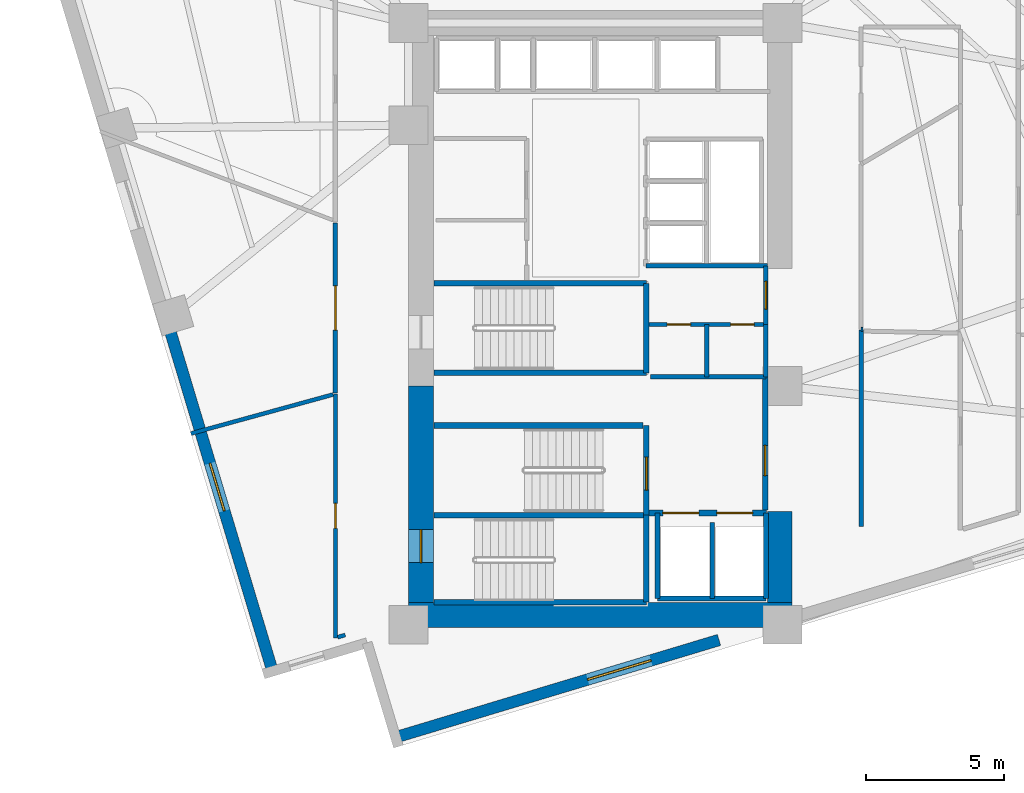
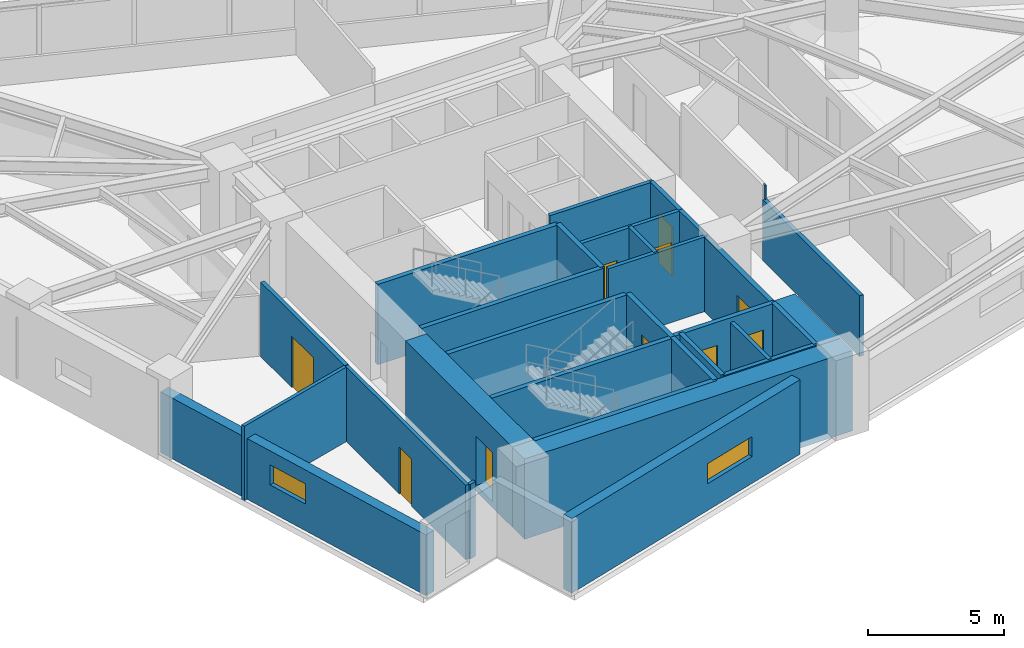
# One storey, part 10 of 16: 31 walls, 10 doors, 2 windows, 12 openings.
"""IFC4 building model written with IfcOpenShell, lengths in metres."""

from ifc_helpers import new_model, si_unit, direction, frame, frame_2d, origin, place, context, subcontext, project, spatial, rectangle, extrude, material, layer, layer_set, type_object, element, fill, save


model = new_model("IFC4")

# Units and contexts
model_context = context("Model", 3, precision=1e-05, world=origin(), true_north=direction((0.0, 1.0)))
body_context = subcontext(model_context, "Body", "Model", "MODEL_VIEW")
ifc_project = project(units=[si_unit("LENGTHUNIT", "METRE"), si_unit("AREAUNIT", "SQUARE_METRE"), si_unit("VOLUMEUNIT", "CUBIC_METRE"), si_unit("PLANEANGLEUNIT", "RADIAN"), si_unit("MASSUNIT", "GRAM", prefix="KILO")], contexts=[model_context])

# Site, building, storey
site_placement = place(None, origin())
site = spatial("IfcSite", under=ifc_project, at=site_placement, CompositionType="ELEMENT")
building_placement = place(site_placement, origin())
building = spatial("IfcBuilding", under=site, at=building_placement, Name="Narakoshi Arena Tower", CompositionType="ELEMENT")
storey_placement = place(building_placement, frame((0.0, 0.0, 153.89990234375)))
storey = spatial("IfcBuildingStorey", under=building, at=storey_placement, Name="L41", CompositionType="ELEMENT", Elevation=153.89990234375)

# Wall, opening, door
ifc_material_1 = material(Name="Concrete C60/75", Category="concrete")
ifc_layer_1 = layer(ifc_material_1, 0.89990234375)
ifc_layer_set_1 = layer_set([ifc_layer_1], Name="Concrete C60/75")
wall_type_1 = type_object("IfcWallType", Name="WL-CORE-900", PredefinedType="SHEAR", material=ifc_layer_set_1)
wall_1_placement = place(storey_placement, frame((72.449951171875, 35.5, -0.260009765625), z_axis=(0.0, 0.0, 1.0), x_axis=(0.0, 1.0, 0.0)))
wall_1 = element("IfcWall", 1, at=wall_1_placement, inside=storey, type_object=wall_type_1, Name="L41 Central Core Shear Wall CW-APX-W", PredefinedType="SHEAR", context=body_context, shape_type="SweptSolid", body=[
    extrude(rectangle(XDim=7.85009765625, YDim=0.89990234375, at=frame_2d((3.925048828125, 0.0))), origin(), (0.0, 0.0, 1.0), 3.60009765625),
])
opening_1_placement = place(wall_1_placement, frame((1.449951171875, 0.0, 0.260009765625)))
opening_1 = element("IfcOpeningElement", 2, at=opening_1_placement, cuts=wall_1, Name="Opening D-03", PredefinedType="OPENING", context=body_context, shape_type="SweptSolid", body=[
    extrude(rectangle(XDim=1.199951171875, YDim=2.199951171875, at=frame_2d((0.60009765625, 1.10009765625))), frame((0.0, 0.4599609375, 0.0), z_axis=(0.0, -1.0, 0.0), x_axis=(1.0, 0.0, 0.0)), (0.0, 0.0, 1.0), 0.919921875),
])
ifc_material_2 = material(Name="Painted galvanized steel", Category="steel")
door_type_1 = type_object("IfcDoorType", Name="DR-STR-1200", OperationType="NOTDEFINED", PredefinedType="USERDEFINED", material=ifc_material_2)
door_1_placement = place(opening_1_placement, frame((1.199951171875, 0.0, 0.0), z_axis=(0.0, 0.0, 1.0), x_axis=(-1.0, 0.0, 0.0)))
door_1 = element("IfcDoor", 3, at=door_1_placement, inside=storey, type_object=door_type_1, Name="DR-L41-001", ObjectType="EXITDOOR", OperationType="SINGLE_SWING_LEFT", OverallHeight=2.199951171875, OverallWidth=1.199951171875, PredefinedType="USERDEFINED", context=body_context, shape_type="SweptSolid", body=[
    extrude(rectangle(XDim=1.199951171875, YDim=2.199951171875, at=frame_2d((0.60009765625, 1.10009765625))), frame((0.0, 0.02490234375, 0.0), z_axis=(0.0, -1.0, 0.0), x_axis=(1.0, 0.0, 0.0)), (0.0, 0.0, 1.0), 0.050048828125),
])
fill(opening_1, door_1)

# Walls
wall_2_placement = place(storey_placement, frame((72.0, 35.050048828125, -0.260009765625), z_axis=(0.0, 0.0, 1.0), x_axis=(1.0, 0.0, 0.0)))
element("IfcWall", 4, at=wall_2_placement, inside=storey, type_object=wall_type_1, Name="L41 Central Core Shear Wall CW-APX-S", PredefinedType="SHEAR", context=body_context, shape_type="SweptSolid", body=[
    extrude(rectangle(XDim=13.89990234375, YDim=0.89990234375, at=frame_2d((6.949951171875, 0.0))), origin(), (0.0, 0.0, 1.0), 3.60009765625),
])
wall_3_placement = place(storey_placement, frame((85.449951171875, 35.5, -0.260009765625), z_axis=(0.0, 0.0, 1.0), x_axis=(0.0, 1.0, 0.0)))
element("IfcWall", 5, at=wall_3_placement, inside=storey, type_object=wall_type_1, Name="L41 Central Core Shear Wall CW-APX-E", PredefinedType="SHEAR", context=body_context, shape_type="SweptSolid", body=[
    extrude(rectangle(XDim=3.300048828125, YDim=0.89990234375, at=frame_2d((1.64990234375, 0.0))), origin(), (0.0, 0.0, 1.0), 3.60009765625),
])

# Wall, opening, door
ifc_material_3 = material(Name="Gypsum plasterboard fire-rated partition")
ifc_layer_2 = layer(ifc_material_3, 0.1650390625)
ifc_layer_set_2 = layer_set([ifc_layer_2], Name="Gypsum plasterboard fire-rated partition")
wall_type_2 = type_object("IfcWallType", Name="WL-CORR-165", PredefinedType="PARTITIONING", material=ifc_layer_set_2)
wall_4_placement = place(storey_placement, frame((84.949951171875, 45.580078125, 0.0), z_axis=(0.0, 0.0, 1.0), x_axis=(0.0, 1.0, 0.0)))
wall_4 = element("IfcWall", 6, at=wall_4_placement, inside=storey, type_object=wall_type_2, Name="L41 Core Wall CPAS-E", PredefinedType="PARTITIONING", context=body_context, shape_type="SweptSolid", body=[
    extrude(rectangle(XDim=2.119873046875, YDim=0.1650390625, at=frame_2d((1.06005859375, 0.0))), origin(), (0.0, 0.0, 1.0), 3.340087890625),
])
opening_2_placement = place(wall_4_placement, frame((0.56005859375, 0.0, 0.0)))
opening_2 = element("IfcOpeningElement", 7, at=opening_2_placement, cuts=wall_4, Name="Opening D-06", PredefinedType="OPENING", context=body_context, shape_type="SweptSolid", body=[
    extrude(rectangle(XDim=1.0, YDim=2.199951171875, at=frame_2d((0.5, 1.10009765625))), frame((0.0, 0.092529296875, 0.0), z_axis=(0.0, -1.0, 0.0), x_axis=(1.0, 0.0, 0.0)), (0.0, 0.0, 1.0), 0.18505859375),
])
ifc_material_4 = material(Name="Stained oak solid-core timber", Category="wood")
door_type_2 = type_object("IfcDoorType", Name="DR-OFF-1000", OperationType="NOTDEFINED", PredefinedType="DOOR", material=ifc_material_4)
door_2_placement = place(opening_2_placement, frame((1.0, 0.0, 0.0), z_axis=(0.0, 0.0, 1.0), x_axis=(-1.0, 0.0, 0.0)))
door_2 = element("IfcDoor", 8, at=door_2_placement, inside=storey, type_object=door_type_2, Name="DR-L41-007", OperationType="SINGLE_SWING_LEFT", OverallHeight=2.199951171875, OverallWidth=1.0, PredefinedType="DOOR", context=body_context, shape_type="SweptSolid", body=[
    extrude(rectangle(XDim=1.0, YDim=2.199951171875, at=frame_2d((0.5, 1.10009765625))), frame((0.0, 0.02490234375, 0.0), z_axis=(0.0, -1.0, 0.0), x_axis=(1.0, 0.0, 0.0)), (0.0, 0.0, 1.0), 0.050048828125),
])
fill(opening_2, door_2)

# Wall
wall_5_placement = place(storey_placement, frame((88.39990234375, 38.26220703125, 0.0), z_axis=(0.0, 0.0, 1.0), x_axis=(0.0, 1.0, 0.0)))
element("IfcWall", 9, at=wall_5_placement, inside=storey, type_object=wall_type_2, Name="L41 Corridor Partition 02-2", PredefinedType="PARTITIONING", context=body_context, shape_type="SweptSolid", body=[
    extrude(rectangle(XDim=7.1162109375, YDim=0.1650390625, at=frame_2d((3.55810546875, 0.0))), origin(), (0.0, 0.0, 1.0), 2.72509765625),
])

# Wall, opening, door
wall_6_placement = place(storey_placement, frame((69.353759765625, 49.260498046875, 0.0), z_axis=(0.0, 0.0, 1.0), x_axis=(0.0, -1.0, 0.0)))
wall_6 = element("IfcWall", 10, at=wall_6_placement, inside=storey, type_object=wall_type_2, Name="L41 Corridor Partition 09-1", PredefinedType="PARTITIONING", context=body_context, shape_type="SweptSolid", body=[
    extrude(rectangle(XDim=6.17041015625, YDim=0.1650390625, at=frame_2d((3.085205078125, 0.0))), origin(), (0.0, 0.0, 1.0), 3.340087890625),
])
opening_3_placement = place(wall_6_placement, frame((2.28515625, 0.0, 0.0)))
opening_3 = element("IfcOpeningElement", 11, at=opening_3_placement, cuts=wall_6, Name="Opening D-05", PredefinedType="OPENING", context=body_context, shape_type="SweptSolid", body=[
    extrude(rectangle(XDim=1.60009765625, YDim=2.300048828125, at=frame_2d((0.800048828125, 1.14990234375))), frame((0.0, 0.092529296875, 0.0), z_axis=(0.0, -1.0, 0.0), x_axis=(1.0, 0.0, 0.0)), (0.0, 0.0, 1.0), 0.18505859375),
])
door_type_3 = type_object("IfcDoorType", Name="DR-STE-1600", OperationType="DOUBLE_DOOR_SINGLE_SWING", PredefinedType="DOOR", material=ifc_material_4)
door_3_placement = place(opening_3_placement, frame((1.60009765625, 0.0, 0.0), z_axis=(0.0, 0.0, 1.0), x_axis=(-1.0, 0.0, 0.0)))
door_3 = element("IfcDoor", 12, at=door_3_placement, inside=storey, type_object=door_type_3, Name="DR-L41-023", OperationType="DOUBLE_DOOR_SINGLE_SWING", OverallHeight=2.300048828125, OverallWidth=1.60009765625, PredefinedType="DOOR", context=body_context, shape_type="SweptSolid", body=[
    extrude(rectangle(XDim=1.60009765625, YDim=2.300048828125, at=frame_2d((0.800048828125, 1.14990234375))), frame((0.0, 0.02490234375, 0.0), z_axis=(0.0, -1.0, 0.0), x_axis=(1.0, 0.0, 0.0)), (0.0, 0.0, 1.0), 0.050048828125),
])
fill(opening_3, door_3)

# Wall, opening, window
ifc_material_5 = material(Name="Precast concrete C45/55", Category="concrete")
ifc_layer_3 = layer(ifc_material_5, 0.419921875)
ifc_layer_set_3 = layer_set([ifc_layer_3], Name="Precast concrete C45/55")
wall_type_3 = type_object("IfcWallType", Name="WL-POD-420", PredefinedType="SOLIDWALL", material=ifc_layer_set_3)
wall_7_placement = place(storey_placement, frame((71.53466796875, 30.62353515625, 0.0), z_axis=(0.0, 0.0, 1.0), x_axis=(0.957571099539, 0.288197136226, 0.0)))
wall_7 = element("IfcWall", 13, at=wall_7_placement, inside=storey, type_object=wall_type_3, Name="L41 Architectural Concrete Facade Wall LEGA-1", PredefinedType="SOLIDWALL", context=body_context, shape_type="SweptSolid", body=[
    extrude(rectangle(XDim=12.23583984375, YDim=0.419921875, at=frame_2d((6.117919921875, 0.0))), origin(), (0.0, 0.0, 1.0), 3.340087890625),
])
opening_4_placement = place(wall_7_placement, frame((7.263916015625, 0.0, 1.199951171875)))
opening_4 = element("IfcOpeningElement", 14, at=opening_4_placement, cuts=wall_7, Name="Opening WN-01", PredefinedType="OPENING", context=body_context, shape_type="SweptSolid", body=[
    extrude(rectangle(XDim=2.39990234375, YDim=0.89990234375, at=frame_2d((1.199951171875, 0.449951171875))), frame((0.0, 0.219970703125, 0.0), z_axis=(0.0, -1.0, 0.0), x_axis=(1.0, 0.0, 0.0)), (0.0, 0.0, 1.0), 0.43994140625),
])
ifc_material_6 = material(Name="Bronze-tinted low-E laminated glass", Category="glass")
window_type_1 = type_object("IfcWindowType", Name="WIN-SLT-24x09", PartitioningType="SINGLE_PANEL", PredefinedType="WINDOW", material=ifc_material_6)
window_1_placement = place(opening_4_placement, origin())
window_1 = element("IfcWindow", 15, at=window_1_placement, inside=storey, type_object=window_type_1, Name="L41 LEGA1 Horizontal Slot Window 1", OverallHeight=0.89990234375, OverallWidth=2.39990234375, PartitioningType="SINGLE_PANEL", PredefinedType="WINDOW", context=body_context, shape_type="SweptSolid", body=[
    extrude(rectangle(XDim=2.39990234375, YDim=0.89990234375, at=frame_2d((1.199951171875, 0.449951171875))), frame((0.0, 0.030029296875, 0.0), z_axis=(0.0, -1.0, 0.0), x_axis=(1.0, 0.0, 0.0)), (0.0, 0.0, 1.0), 0.06005859375),
])
fill(opening_4, window_1)

wall_8_placement = place(storey_placement, frame((63.221435546875, 45.833740234375, 0.0), z_axis=(0.0, 0.0, 1.0), x_axis=(0.288202962273, -0.957569346072, 0.0)))
wall_8 = element("IfcWall", 16, at=wall_8_placement, inside=storey, type_object=wall_type_3, Name="L41 Architectural Concrete Facade Wall LEGB-3", PredefinedType="SOLIDWALL", context=body_context, shape_type="SweptSolid", body=[
    extrude(rectangle(XDim=13.383544921875, YDim=0.419921875, at=frame_2d((6.69189453125, 0.0))), origin(), (0.0, 0.0, 1.0), 2.72509765625),
])
opening_5_placement = place(wall_8_placement, frame((5.5166015625, 0.0, 1.199951171875)))
opening_5 = element("IfcOpeningElement", 17, at=opening_5_placement, cuts=wall_8, Name="Opening WN-02", PredefinedType="OPENING", context=body_context, shape_type="SweptSolid", body=[
    extrude(rectangle(XDim=1.800048828125, YDim=0.89990234375, at=frame_2d((0.89990234375, 0.449951171875))), frame((0.0, 0.219970703125, 0.0), z_axis=(0.0, -1.0, 0.0), x_axis=(1.0, 0.0, 0.0)), (0.0, 0.0, 1.0), 0.43994140625),
])
window_type_2 = type_object("IfcWindowType", Name="WIN-SLT-18x09", PartitioningType="SINGLE_PANEL", PredefinedType="WINDOW", material=ifc_material_6)
window_2_placement = place(opening_5_placement, origin())
window_2 = element("IfcWindow", 18, at=window_2_placement, inside=storey, type_object=window_type_2, Name="L41 LEGB3 Horizontal Slot Window 1", OverallHeight=0.89990234375, OverallWidth=1.800048828125, PartitioningType="SINGLE_PANEL", PredefinedType="WINDOW", context=body_context, shape_type="SweptSolid", body=[
    extrude(rectangle(XDim=1.800048828125, YDim=0.89990234375, at=frame_2d((0.89990234375, 0.449951171875))), frame((0.0, 0.030029296875, 0.0), z_axis=(0.0, -1.0, 0.0), x_axis=(1.0, 0.0, 0.0)), (0.0, 0.0, 1.0), 0.06005859375),
])
fill(opening_5, window_2)

# Walls
ifc_material_7 = material(Name="Concrete C40/50", Category="concrete")
ifc_layer_4 = layer(ifc_material_7, 0.280029296875)
ifc_layer_set_4 = layer_set([ifc_layer_4], Name="Concrete C40/50")
wall_type_4 = type_object("IfcWallType", Name="WL-RISER-280", PredefinedType="PLUMBINGWALL", material=ifc_layer_set_4)
wall_9_placement = place(storey_placement, frame((83.0, 35.64990234375, 0.0), z_axis=(0.0, 0.0, 1.0), x_axis=(0.0, 1.0, 0.0)))
element("IfcWall", 19, at=wall_9_placement, inside=storey, type_object=wall_type_4, Name="L41 Core Wall FF-DIV", PredefinedType="PLUMBINGWALL", context=body_context, shape_type="SweptSolid", body=[
    extrude(rectangle(XDim=2.75, YDim=0.159912109375, at=frame_2d((1.375, 0.0))), origin(), (0.0, 0.0, 1.0), 3.340087890625),
])
wall_10_placement = place(storey_placement, frame((84.949951171875, 43.679931640625, 0.0), z_axis=(0.0, 0.0, 1.0), x_axis=(0.0, 1.0, 0.0)))
element("IfcWall", 20, at=wall_10_placement, inside=storey, type_object=wall_type_4, Name="L41 Core Wall RSR-E", PredefinedType="PLUMBINGWALL", context=body_context, shape_type="SweptSolid", body=[
    extrude(rectangle(XDim=1.900146484375, YDim=0.1650390625, at=frame_2d((0.9501953125, 0.0))), origin(), (0.0, 0.0, 1.0), 3.340087890625),
])

# Wall, openings, doors
wall_11_placement = place(storey_placement, frame((80.719970703125, 45.580078125, 0.0), z_axis=(0.0, 0.0, 1.0), x_axis=(1.0, 0.0, 0.0)))
wall_11 = element("IfcWall", 21, at=wall_11_placement, inside=storey, type_object=wall_type_4, Name="L41 Core Wall RSR-N", PredefinedType="PLUMBINGWALL", context=body_context, shape_type="SweptSolid", body=[
    extrude(rectangle(XDim=4.22998046875, YDim=0.159912109375, at=frame_2d((2.114990234375, 0.0))), origin(), (0.0, 0.0, 1.0), 3.340087890625),
])
opening_6_placement = place(wall_11_placement, frame((0.64990234375, 0.0, 0.0)))
opening_6 = element("IfcOpeningElement", 22, at=opening_6_placement, cuts=wall_11, Name="Opening D-10", PredefinedType="OPENING", context=body_context, shape_type="SweptSolid", body=[
    extrude(rectangle(XDim=0.85009765625, YDim=2.050048828125, at=frame_2d((0.425048828125, 1.02490234375))), frame((0.0, 0.08984375, 0.0), z_axis=(0.0, -1.0, 0.0), x_axis=(1.0, 0.0, 0.0)), (0.0, 0.0, 1.0), 0.179931640625),
])
opening_7_placement = place(wall_11_placement, frame((2.949951171875, 0.0, 0.0)))
opening_7 = element("IfcOpeningElement", 23, at=opening_7_placement, cuts=wall_11, Name="Opening D-10", PredefinedType="OPENING", context=body_context, shape_type="SweptSolid", body=[
    extrude(rectangle(XDim=0.85009765625, YDim=2.050048828125, at=frame_2d((0.425048828125, 1.02490234375))), frame((0.0, 0.08984375, 0.0), z_axis=(0.0, -1.0, 0.0), x_axis=(1.0, 0.0, 0.0)), (0.0, 0.0, 1.0), 0.179931640625),
])
door_type_4 = type_object("IfcDoorType", Name="DR-RSR-850", OperationType="NOTDEFINED", PredefinedType="DOOR", material=ifc_material_2)
door_4_placement = place(opening_6_placement, frame((0.85009765625, 0.0, 0.0), z_axis=(0.0, 0.0, 1.0), x_axis=(-1.0, 0.0, 0.0)))
door_4 = element("IfcDoor", 24, at=door_4_placement, inside=storey, type_object=door_type_4, Name="DR-L41-008", OperationType="SINGLE_SWING_LEFT", OverallHeight=2.050048828125, OverallWidth=0.85009765625, PredefinedType="DOOR", context=body_context, shape_type="SweptSolid", body=[
    extrude(rectangle(XDim=0.85009765625, YDim=2.050048828125, at=frame_2d((0.425048828125, 1.02490234375))), frame((0.0, 0.02490234375, 0.0), z_axis=(0.0, -1.0, 0.0), x_axis=(1.0, 0.0, 0.0)), (0.0, 0.0, 1.0), 0.050048828125),
])
fill(opening_6, door_4)
door_5_placement = place(opening_7_placement, frame((0.85009765625, 0.0, 0.0), z_axis=(0.0, 0.0, 1.0), x_axis=(-1.0, 0.0, 0.0)))
door_5 = element("IfcDoor", 25, at=door_5_placement, inside=storey, type_object=door_type_4, Name="DR-L41-009", OperationType="SINGLE_SWING_RIGHT", OverallHeight=2.050048828125, OverallWidth=0.85009765625, PredefinedType="DOOR", context=body_context, shape_type="SweptSolid", body=[
    extrude(rectangle(XDim=0.85009765625, YDim=2.050048828125, at=frame_2d((0.425048828125, 1.02490234375))), frame((0.0, 0.02490234375, 0.0), z_axis=(0.0, -1.0, 0.0), x_axis=(1.0, 0.0, 0.0)), (0.0, 0.0, 1.0), 0.050048828125),
])
fill(opening_7, door_5)

# Walls
wall_12_placement = place(storey_placement, frame((80.760009765625, 43.679931640625, 0.0), z_axis=(0.0, 0.0, 1.0), x_axis=(1.0, 0.0, 0.0)))
element("IfcWall", 26, at=wall_12_placement, inside=storey, type_object=wall_type_4, Name="L41 Core Wall RSR-S", PredefinedType="PLUMBINGWALL", context=body_context, shape_type="SweptSolid", body=[
    extrude(rectangle(XDim=4.18994140625, YDim=0.159912109375, at=frame_2d((2.094970703125, 0.0))), origin(), (0.0, 0.0, 1.0), 3.340087890625),
])
wall_13_placement = place(storey_placement, frame((82.800048828125, 43.679931640625, 0.0), z_axis=(0.0, 0.0, 1.0), x_axis=(0.0, 1.0, 0.0)))
element("IfcWall", 27, at=wall_13_placement, inside=storey, type_object=wall_type_4, Name="L41 Core Wall RSR-M", PredefinedType="PLUMBINGWALL", context=body_context, shape_type="SweptSolid", body=[
    extrude(rectangle(XDim=1.900146484375, YDim=0.159912109375, at=frame_2d((0.9501953125, 0.0))), origin(), (0.0, 0.0, 1.0), 3.340087890625),
])
ifc_material_8 = material(Name="Concrete C50/60", Category="concrete")
ifc_layer_5 = layer(ifc_material_8, 0.35009765625)
ifc_layer_set_5 = layer_set([ifc_layer_5], Name="Concrete C50/60")
wall_type_5 = type_object("IfcWallType", Name="WL-SHAFT-350", PredefinedType="SOLIDWALL", material=ifc_layer_set_5)
for number, where, z_axis, x_axis, name in (
    (28, (72.919921875, 35.52001953125, -0.260009765625), (0.0, 0.0, 1.0), (1.0, 0.0, 0.0), "L41 Core Wall ST1-S"),
    (29, (72.919921875, 38.675048828125, -0.260009765625), (0.0, 0.0, 1.0), (1.0, 0.0, 0.0), "L41 Core Wall ST12-DIV"),
):
    element("IfcWall", number, at=place(storey_placement, frame(where, z_axis=z_axis, x_axis=x_axis)), inside=storey, type_object=wall_type_5, Name=name, PredefinedType="SOLIDWALL", context=body_context, shape_type="SweptSolid", body=[
        extrude(rectangle(XDim=7.7001953125, YDim=0.199951171875, at=frame_2d((3.85009765625, 0.0))), origin(), (0.0, 0.0, 1.0), 3.60009765625),
    ])
wall_14_placement = place(storey_placement, frame((80.6201171875, 35.52001953125, -0.260009765625), z_axis=(0.0, 0.0, 1.0), x_axis=(0.0, 1.0, 0.0)))
element("IfcWall", 30, at=wall_14_placement, inside=storey, type_object=wall_type_5, Name="L41 Core Wall ST1-E", PredefinedType="SOLIDWALL", context=body_context, shape_type="SweptSolid", body=[
    extrude(rectangle(XDim=3.155029296875, YDim=0.199951171875, at=frame_2d((1.57763671875, 0.0))), origin(), (0.0, 0.0, 1.0), 3.60009765625),
])

# Wall, opening, door
wall_15_placement = place(storey_placement, frame((80.6201171875, 38.675048828125, -0.260009765625), z_axis=(0.0, 0.0, 1.0), x_axis=(0.0, 1.0, 0.0)))
wall_15 = element("IfcWall", 31, at=wall_15_placement, inside=storey, type_object=wall_type_5, Name="L41 Core Wall ST2-E", PredefinedType="SOLIDWALL", context=body_context, shape_type="SweptSolid", body=[
    extrude(rectangle(XDim=3.244873046875, YDim=0.199951171875, at=frame_2d((1.62255859375, 0.0))), origin(), (0.0, 0.0, 1.0), 3.60009765625),
])
opening_8_placement = place(wall_15_placement, frame((0.89990234375, 0.0, 0.260009765625)))
opening_8 = element("IfcOpeningElement", 32, at=opening_8_placement, cuts=wall_15, Name="Opening D-03", PredefinedType="OPENING", context=body_context, shape_type="SweptSolid", body=[
    extrude(rectangle(XDim=1.199951171875, YDim=2.199951171875, at=frame_2d((0.60009765625, 1.10009765625))), frame((0.0, 0.10986328125, 0.0), z_axis=(0.0, -1.0, 0.0), x_axis=(1.0, 0.0, 0.0)), (0.0, 0.0, 1.0), 0.219970703125),
])
door_6_placement = place(opening_8_placement, origin())
door_6 = element("IfcDoor", 33, at=door_6_placement, inside=storey, type_object=door_type_1, Name="DR-L41-002", ObjectType="EXITDOOR", OperationType="SINGLE_SWING_RIGHT", OverallHeight=2.199951171875, OverallWidth=1.199951171875, PredefinedType="USERDEFINED", context=body_context, shape_type="SweptSolid", body=[
    extrude(rectangle(XDim=1.199951171875, YDim=2.199951171875, at=frame_2d((0.60009765625, 1.10009765625))), frame((0.0, 0.02490234375, 0.0), z_axis=(0.0, -1.0, 0.0), x_axis=(1.0, 0.0, 0.0)), (0.0, 0.0, 1.0), 0.050048828125),
])
fill(opening_8, door_6)

# Wall, openings, doors
wall_16_placement = place(storey_placement, frame((80.719970703125, 38.75, 0.0), z_axis=(0.0, 0.0, 1.0), x_axis=(1.0, 0.0, 0.0)))
wall_16 = element("IfcWall", 34, at=wall_16_placement, inside=storey, type_object=wall_type_5, Name="L41 Core Wall FF-N", PredefinedType="SOLIDWALL", context=body_context, shape_type="SweptSolid", body=[
    extrude(rectangle(XDim=4.260009765625, YDim=0.199951171875, at=frame_2d((2.1298828125, 0.0))), origin(), (0.0, 0.0, 1.0), 3.340087890625),
])
opening_9_placement = place(wall_16_placement, frame((0.5, 0.0, 0.0)))
opening_9 = element("IfcOpeningElement", 35, at=opening_9_placement, cuts=wall_16, Name="Opening LD-02", PredefinedType="OPENING", context=body_context, shape_type="SweptSolid", body=[
    extrude(rectangle(XDim=1.300048828125, YDim=2.300048828125, at=frame_2d((0.64990234375, 1.14990234375))), frame((0.0, 0.10986328125, 0.0), z_axis=(0.0, -1.0, 0.0), x_axis=(1.0, 0.0, 0.0)), (0.0, 0.0, 1.0), 0.219970703125),
])
opening_10_placement = place(wall_16_placement, frame((2.449951171875, 0.0, 0.0)))
opening_10 = element("IfcOpeningElement", 36, at=opening_10_placement, cuts=wall_16, Name="Opening LD-02", PredefinedType="OPENING", context=body_context, shape_type="SweptSolid", body=[
    extrude(rectangle(XDim=1.300048828125, YDim=2.300048828125, at=frame_2d((0.64990234375, 1.14990234375))), frame((0.0, 0.10986328125, 0.0), z_axis=(0.0, -1.0, 0.0), x_axis=(1.0, 0.0, 0.0)), (0.0, 0.0, 1.0), 0.219970703125),
])
ifc_material_9 = material(Name="Brushed bronze stainless steel", Category="steel")
door_type_5 = type_object("IfcDoorType", Name="DR-LFT-1300", OperationType="DOUBLE_DOOR_SLIDING", PredefinedType="DOOR", material=ifc_material_9)
door_7_placement = place(opening_9_placement, origin())
door_7 = element("IfcDoor", 37, at=door_7_placement, inside=storey, type_object=door_type_5, Name="DR-L41-003", OperationType="DOUBLE_DOOR_SLIDING", OverallHeight=2.300048828125, OverallWidth=1.300048828125, PredefinedType="DOOR", context=body_context, shape_type="SweptSolid", body=[
    extrude(rectangle(XDim=1.300048828125, YDim=2.300048828125, at=frame_2d((0.64990234375, 1.14990234375))), frame((0.0, 0.02490234375, 0.0), z_axis=(0.0, -1.0, 0.0), x_axis=(1.0, 0.0, 0.0)), (0.0, 0.0, 1.0), 0.050048828125),
])
fill(opening_9, door_7)
door_8_placement = place(opening_10_placement, origin())
door_8 = element("IfcDoor", 38, at=door_8_placement, inside=storey, type_object=door_type_5, Name="DR-L41-004", OperationType="DOUBLE_DOOR_SLIDING", OverallHeight=2.300048828125, OverallWidth=1.300048828125, PredefinedType="DOOR", context=body_context, shape_type="SweptSolid", body=[
    extrude(rectangle(XDim=1.300048828125, YDim=2.300048828125, at=frame_2d((0.64990234375, 1.14990234375))), frame((0.0, 0.02490234375, 0.0), z_axis=(0.0, -1.0, 0.0), x_axis=(1.0, 0.0, 0.0)), (0.0, 0.0, 1.0), 0.050048828125),
])
fill(opening_10, door_8)

# Walls
for number, where, z_axis, x_axis, name in (
    (39, (84.949951171875, 35.64990234375, 0.0), (0.0, 0.0, 1.0), (0.0, 1.0, 0.0), "L41 Core Wall FF-E"),
    (40, (81.02001953125, 35.64990234375, 0.0), (0.0, 0.0, 1.0), (0.0, 1.0, 0.0), "L41 Core Wall FF-W"),
):
    element("IfcWall", number, at=place(storey_placement, frame(where, z_axis=z_axis, x_axis=x_axis)), inside=storey, type_object=wall_type_5, Name=name, PredefinedType="SOLIDWALL", context=body_context, shape_type="SweptSolid", body=[
        extrude(rectangle(XDim=3.10009765625, YDim=0.179931640625, at=frame_2d((1.550048828125, 0.0))), origin(), (0.0, 0.0, 1.0), 3.340087890625),
    ])
wall_17_placement = place(storey_placement, frame((81.02001953125, 35.64990234375, 0.0), z_axis=(0.0, 0.0, 1.0), x_axis=(1.0, 0.0, 0.0)))
element("IfcWall", 41, at=wall_17_placement, inside=storey, type_object=wall_type_5, Name="L41 Core Wall FF-S", PredefinedType="SOLIDWALL", context=body_context, shape_type="SweptSolid", body=[
    extrude(rectangle(XDim=3.929931640625, YDim=0.179931640625, at=frame_2d((1.96484375, 0.0))), origin(), (0.0, 0.0, 1.0), 3.340087890625),
])

# Wall, opening, door
wall_18_placement = place(storey_placement, frame((84.919921875, 38.85009765625, 0.0), z_axis=(0.0, 0.0, 1.0), x_axis=(0.0, 1.0, 0.0)))
wall_18 = element("IfcWall", 42, at=wall_18_placement, inside=storey, type_object=wall_type_5, Name="L41 Core Wall FFLOB-E", PredefinedType="SOLIDWALL", context=body_context, shape_type="SweptSolid", body=[
    extrude(rectangle(XDim=4.829833984375, YDim=0.199951171875, at=frame_2d((2.4150390625, 0.0))), origin(), (0.0, 0.0, 1.0), 3.340087890625),
])
opening_11_placement = place(wall_18_placement, frame((1.25, 0.0, 0.0)))
opening_11 = element("IfcOpeningElement", 43, at=opening_11_placement, cuts=wall_18, Name="Opening D-04", PredefinedType="OPENING", context=body_context, shape_type="SweptSolid", body=[
    extrude(rectangle(XDim=1.10009765625, YDim=2.199951171875, at=frame_2d((0.550048828125, 1.10009765625))), frame((0.0, 0.10986328125, 0.0), z_axis=(0.0, -1.0, 0.0), x_axis=(1.0, 0.0, 0.0)), (0.0, 0.0, 1.0), 0.219970703125),
])
door_type_6 = type_object("IfcDoorType", Name="DR-FFL-1100", OperationType="NOTDEFINED", PredefinedType="DOOR", material=ifc_material_2)
door_9_placement = place(opening_11_placement, frame((1.10009765625, 0.0, 0.0), z_axis=(0.0, 0.0, 1.0), x_axis=(-1.0, 0.0, 0.0)))
door_9 = element("IfcDoor", 44, at=door_9_placement, inside=storey, type_object=door_type_6, Name="DR-L41-005", OperationType="SINGLE_SWING_RIGHT", OverallHeight=2.199951171875, OverallWidth=1.10009765625, PredefinedType="DOOR", context=body_context, shape_type="SweptSolid", body=[
    extrude(rectangle(XDim=1.10009765625, YDim=2.199951171875, at=frame_2d((0.550048828125, 1.10009765625))), frame((0.0, 0.02490234375, 0.0), z_axis=(0.0, -1.0, 0.0), x_axis=(1.0, 0.0, 0.0)), (0.0, 0.0, 1.0), 0.050048828125),
])
fill(opening_11, door_9)

# Walls
wall_19_placement = place(storey_placement, frame((72.919921875, 41.919921875, -0.260009765625), z_axis=(0.0, 0.0, 1.0), x_axis=(1.0, 0.0, 0.0)))
element("IfcWall", 45, at=wall_19_placement, inside=storey, type_object=wall_type_5, Name="L41 Core Wall ST2-N", PredefinedType="SOLIDWALL", context=body_context, shape_type="SweptSolid", body=[
    extrude(rectangle(XDim=7.580078125, YDim=0.199951171875, at=frame_2d((3.7900390625, 0.0))), origin(), (0.0, 0.0, 1.0), 3.60009765625),
])
for number, where, z_axis, x_axis, name in (
    (46, (72.919921875, 43.830078125, -0.260009765625), (0.0, 0.0, 1.0), (1.0, 0.0, 0.0), "L41 Core Wall ST3-S"),
    (47, (72.919921875, 47.070068359375, -0.260009765625), (0.0, 0.0, 1.0), (1.0, 0.0, 0.0), "L41 Core Wall ST3-N"),
):
    element("IfcWall", number, at=place(storey_placement, frame(where, z_axis=z_axis, x_axis=x_axis)), inside=storey, type_object=wall_type_5, Name=name, PredefinedType="SOLIDWALL", context=body_context, shape_type="SweptSolid", body=[
        extrude(rectangle(XDim=7.7001953125, YDim=0.199951171875, at=frame_2d((3.85009765625, 0.0))), origin(), (0.0, 0.0, 1.0), 3.60009765625),
    ])
wall_20_placement = place(storey_placement, frame((80.6201171875, 43.830078125, -0.260009765625), z_axis=(0.0, 0.0, 1.0), x_axis=(0.0, 1.0, 0.0)))
element("IfcWall", 48, at=wall_20_placement, inside=storey, type_object=wall_type_5, Name="L41 Core Wall ST3-E", PredefinedType="SOLIDWALL", context=body_context, shape_type="SweptSolid", body=[
    extrude(rectangle(XDim=3.239990234375, YDim=0.199951171875, at=frame_2d((1.6201171875, 0.0))), origin(), (0.0, 0.0, 1.0), 3.60009765625),
])
wall_21_placement = place(storey_placement, frame((80.60009765625, 47.699951171875, 0.0), z_axis=(0.0, 0.0, 1.0), x_axis=(1.0, 0.0, 0.0)))
element("IfcWall", 49, at=wall_21_placement, inside=storey, type_object=wall_type_5, Name="L41 Core Wall MR-S", PredefinedType="SOLIDWALL", context=body_context, shape_type="SweptSolid", body=[
    extrude(rectangle(XDim=4.39990234375, YDim=0.159912109375, at=frame_2d((2.199951171875, 0.0))), origin(), (0.0, 0.0, 1.0), 3.340087890625),
])

# Wall, opening, door
ifc_material_10 = material(Name="Moisture-resistant cement-board partition")
ifc_layer_6 = layer(ifc_material_10, 0.14501953125)
ifc_layer_set_6 = layer_set([ifc_layer_6], Name="Moisture-resistant cement-board partition")
wall_type_6 = type_object("IfcWallType", Name="WL-WET-145", PredefinedType="PARTITIONING", material=ifc_layer_set_6)
wall_22_placement = place(storey_placement, frame((69.353759765625, 43.065185546875, 0.0), z_axis=(0.0, 0.0, 1.0), x_axis=(0.0, -1.0, 0.0)))
wall_22 = element("IfcWall", 50, at=wall_22_placement, inside=storey, type_object=wall_type_6, Name="L41 Corridor Partition 01-1", PredefinedType="PARTITIONING", context=body_context, shape_type="SweptSolid", body=[
    extrude(rectangle(XDim=8.84033203125, YDim=0.14501953125, at=frame_2d((4.420166015625, 0.0))), origin(), (0.0, 0.0, 1.0), 3.340087890625),
])
opening_12_placement = place(wall_22_placement, frame((3.97021484375, 0.0, 0.0)))
opening_12 = element("IfcOpeningElement", 51, at=opening_12_placement, cuts=wall_22, Name="Opening D-08", PredefinedType="OPENING", context=body_context, shape_type="SweptSolid", body=[
    extrude(rectangle(XDim=0.89990234375, YDim=2.10009765625, at=frame_2d((0.449951171875, 1.050048828125))), frame((0.0, 0.08251953125, 0.0), z_axis=(0.0, -1.0, 0.0), x_axis=(1.0, 0.0, 0.0)), (0.0, 0.0, 1.0), 0.1650390625),
])
ifc_material_11 = material(Name="Moisture-resistant laminate timber", Category="wood")
door_type_7 = type_object("IfcDoorType", Name="DR-WC-900", OperationType="NOTDEFINED", PredefinedType="DOOR", material=ifc_material_11)
door_10_placement = place(opening_12_placement, frame((0.89990234375, 0.0, 0.0), z_axis=(0.0, 0.0, 1.0), x_axis=(-1.0, 0.0, 0.0)))
door_10 = element("IfcDoor", 52, at=door_10_placement, inside=storey, type_object=door_type_7, Name="DR-L41-015", OperationType="SINGLE_SWING_RIGHT", OverallHeight=2.10009765625, OverallWidth=0.89990234375, PredefinedType="DOOR", context=body_context, shape_type="SweptSolid", body=[
    extrude(rectangle(XDim=0.89990234375, YDim=2.10009765625, at=frame_2d((0.449951171875, 1.050048828125))), frame((0.0, 0.02490234375, 0.0), z_axis=(0.0, -1.0, 0.0), x_axis=(1.0, 0.0, 0.0)), (0.0, 0.0, 1.0), 0.050048828125),
])
fill(opening_12, door_10)

# Walls
wall_23_placement = place(storey_placement, frame((69.438232421875, 34.25048828125, 0.0), z_axis=(0.0, 0.0, 1.0), x_axis=(0.957611740153, 0.288062068176, 0.0)))
element("IfcWall", 53, at=wall_23_placement, inside=storey, type_object=wall_type_6, Name="L41 Corridor Partition 01-2", PredefinedType="PARTITIONING", context=body_context, shape_type="SweptSolid", body=[
    extrude(rectangle(XDim=0.2822265625, YDim=0.14501953125, at=frame_2d((0.14111328125, 0.0))), origin(), (0.0, 0.0, 1.0), 3.340087890625),
])
wall_24_placement = place(storey_placement, frame((64.12158203125, 41.62841796875, 0.0), z_axis=(0.0, 0.0, 1.0), x_axis=(0.964303252741, 0.264800371514, 0.0)))
element("IfcWall", 54, at=wall_24_placement, inside=storey, type_object=wall_type_6, Name="L41 Inter-Room Partition 01-09", PredefinedType="PARTITIONING", context=body_context, shape_type="SweptSolid", body=[
    extrude(rectangle(XDim=5.33837890625, YDim=0.14501953125, at=frame_2d((2.669189453125, 0.0))), origin(), (0.0, 0.0, 1.0), 3.340087890625),
])
wall_25_placement = place(storey_placement, frame((88.4599609375, 45.401123046875, 0.0), z_axis=(0.0, 0.0, 1.0), x_axis=(-0.999702690643, 0.024382992455, 0.0)))
element("IfcWall", 55, at=wall_25_placement, inside=storey, type_object=wall_type_6, Name="L41 Corridor Partition 04-4", PredefinedType="PARTITIONING", context=body_context, shape_type="SweptSolid", body=[
    extrude(rectangle(XDim=0.06005859375, YDim=0.14501953125, at=frame_2d((0.030029296875, 0.0))), origin(), (0.0, 0.0, 1.0), 3.340087890625),
])

save(model, "model.ifc")
